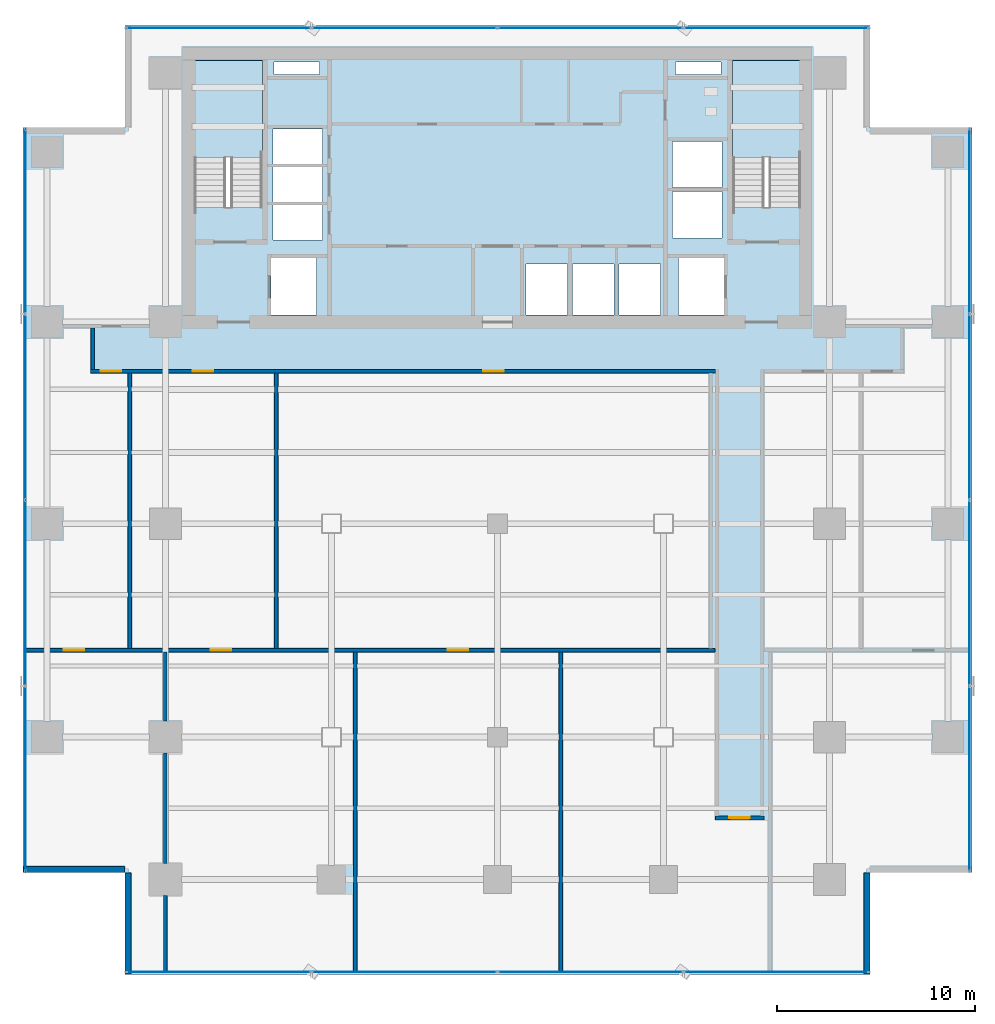
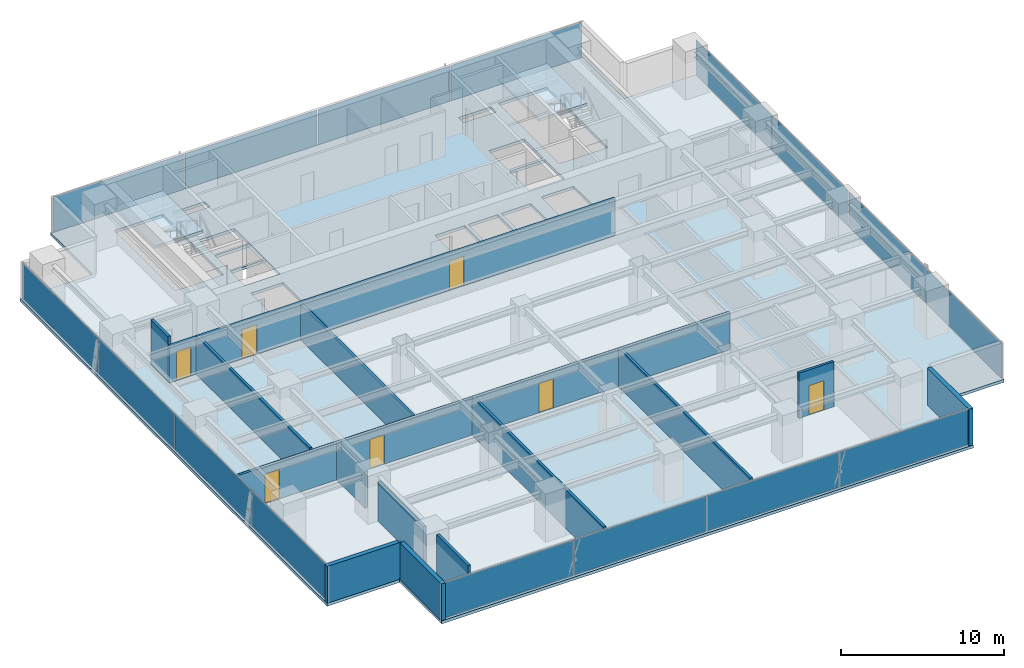
# One storey, part 20 of 28: 16 plates, 14 walls, 7 doors, 3 slabs, 7 openings, 6 elements without a shape of their own.
"""IFC4 building model written with IfcOpenShell, lengths in metres."""

from ifc_helpers import new_model, si_unit, direction, frame, frame_2d, origin, origin_2d, place, context, subcontext, project, spatial, polyline, rectangle, outline, extrude, source, transform, mapped, material, layer, layer_set, type_object, element, fill, aggregate, save


model = new_model("IFC4")

# Units and contexts
model_context = context("Model", 3, precision=1e-05, world=origin(), true_north=direction((0.0, 1.0)))
body_context = subcontext(model_context, "Body", "Model", "MODEL_VIEW")
ifc_project = project(units=[si_unit("LENGTHUNIT", "METRE"), si_unit("AREAUNIT", "SQUARE_METRE"), si_unit("VOLUMEUNIT", "CUBIC_METRE"), si_unit("PLANEANGLEUNIT", "RADIAN"), si_unit("MASSUNIT", "GRAM", prefix="KILO")], contexts=[model_context])

# Site, building, storey
site_placement = place(None, origin())
site = spatial("IfcSite", under=ifc_project, at=site_placement, CompositionType="ELEMENT")
building_placement = place(site_placement, origin())
building = spatial("IfcBuilding", under=site, at=building_placement, Name="Sumidabori Civic Tower", CompositionType="ELEMENT")
storey_placement = place(building_placement, frame((0.0, 0.0, 174.800048828125)))
storey = spatial("IfcBuildingStorey", under=building, at=storey_placement, Name="L45", CompositionType="ELEMENT", Elevation=174.800048828125)

# Stair, slab
ifc_material_1 = material(Name="Concrete C40/50", Category="concrete")
stair_type = type_object("IfcStairType", Name="ST-CORE-1600", PredefinedType="HALF_TURN_STAIR", material=ifc_material_1)
stair_1_placement = place(storey_placement, origin())
stair_1 = element("IfcStair", 1, at=stair_1_placement, inside=storey, type_object=stair_type, Name="L45 ST-1", PredefinedType="HALF_TURN_STAIR")
ifc_layer_1 = layer(ifc_material_1, 0.199951171875, Name="Concrete C40/50")
ifc_layer_set_1 = layer_set([ifc_layer_1], Name="Concrete C40/50")
slab_type_1 = type_object("IfcSlabType", Name="SL-LAND-200", PredefinedType="LANDING", material=ifc_layer_set_1)
slab_1_placement = place(storey_placement, frame((0.0, 0.0, 1.599853515625)))
slab_1 = element("IfcSlab", 2, at=slab_1_placement, type_object=slab_type_1, Name="ST-1 landing 1", PredefinedType="LANDING", context=body_context, shape_type="SweptSolid", body=[
    extrude(outline(polyline([(-11.89990234375, 18.52001953125), (-11.89990234375, 23.449951171875), (-15.340087890625, 23.449951171875), (-15.340087890625, 18.52001953125), (-11.89990234375, 18.52001953125)])), origin(), (0.0, 0.0, 1.0), 0.2001953125),
])
aggregate(stair_1, [slab_1])

stair_2_placement = place(storey_placement, origin())
stair_2 = element("IfcStair", 3, at=stair_2_placement, inside=storey, type_object=stair_type, Name="L45 ST-2", PredefinedType="HALF_TURN_STAIR")
slab_2_placement = place(storey_placement, frame((0.0, 0.0, 1.599853515625)))
slab_2 = element("IfcSlab", 4, at=slab_2_placement, type_object=slab_type_1, Name="ST-2 landing 1", PredefinedType="LANDING", context=body_context, shape_type="SweptSolid", body=[
    extrude(outline(polyline([(15.340087890625, 18.52001953125), (15.340087890625, 23.449951171875), (11.89990234375, 23.449951171875), (11.89990234375, 18.52001953125), (15.340087890625, 18.52001953125)])), origin(), (0.0, 0.0, 1.0), 0.2001953125),
])
aggregate(stair_2, [slab_2])

# Slab
ifc_layer_2 = layer(ifc_material_1, 0.219970703125, Name="Concrete C40/50")
ifc_layer_set_2 = layer_set([ifc_layer_2], Name="Concrete C40/50")
slab_type_2 = type_object("IfcSlabType", Name="SL-Z3-220", PredefinedType="FLOOR", material=ifc_layer_set_2)
slab_3_placement = place(storey_placement, frame((0.0, 0.0, -0.219970703125)))
element("IfcSlab", 5, at=slab_3_placement, inside=storey, type_object=slab_type_2, Name="Structural Slab L45", PredefinedType="FLOOR", context=body_context, shape_type="SweptSolid", body=[
    extrude(outline(polyline([(-18.85009765625, -22.800048828125), (18.85009765625, -22.800048828125), (18.85009765625, -17.64990234375), (24.0, -17.64990234375), (24.0, 20.050048828125), (18.85009765625, 20.050048828125), (18.85009765625, 25.199951171875), (-18.85009765625, 25.199951171875), (-18.85009765625, 20.050048828125), (-24.0, 20.050048828125), (-24.0, -17.64990234375), (-18.85009765625, -17.64990234375), (-18.85009765625, -22.800048828125)]), holes=[polyline([(-11.89990234375, 16.0), (-11.89990234375, 23.449951171875), (-15.340087890625, 23.449951171875), (-15.340087890625, 16.0), (-11.89990234375, 16.0)]), polyline([(15.340087890625, 16.0), (15.340087890625, 23.449951171875), (11.89990234375, 23.449951171875), (11.89990234375, 16.0), (15.340087890625, 16.0)]), polyline([(-11.449951171875, 10.550048828125), (-9.14990234375, 10.550048828125), (-9.14990234375, 13.449951171875), (-11.449951171875, 13.449951171875), (-11.449951171875, 10.550048828125)]), polyline([(9.14990234375, 10.550048828125), (11.449951171875, 10.550048828125), (11.449951171875, 13.449951171875), (9.14990234375, 13.449951171875), (9.14990234375, 10.550048828125)]), polyline([(1.449951171875, 10.550048828125), (3.550048828125, 10.550048828125), (3.550048828125, 13.14990234375), (1.449951171875, 13.14990234375), (1.449951171875, 10.550048828125)]), polyline([(3.800048828125, 10.550048828125), (5.89990234375, 10.550048828125), (5.89990234375, 13.14990234375), (3.800048828125, 13.14990234375), (3.800048828125, 10.550048828125)]), polyline([(6.14990234375, 10.550048828125), (8.25, 10.550048828125), (8.25, 13.14990234375), (6.14990234375, 13.14990234375), (6.14990234375, 10.550048828125)]), polyline([(-11.35009765625, 14.35009765625), (-8.85009765625, 14.35009765625), (-8.85009765625, 16.1201171875), (-11.35009765625, 16.1201171875), (-11.35009765625, 14.35009765625)]), polyline([(-11.35009765625, 16.27001953125), (-8.85009765625, 16.27001953125), (-8.85009765625, 18.0400390625), (-11.35009765625, 18.0400390625), (-11.35009765625, 16.27001953125)]), polyline([(-11.35009765625, 18.18994140625), (-8.85009765625, 18.18994140625), (-8.85009765625, 19.9599609375), (-11.35009765625, 19.9599609375), (-11.35009765625, 18.18994140625)]), polyline([(8.85009765625, 14.449951171875), (11.35009765625, 14.449951171875), (11.35009765625, 16.800048828125), (8.85009765625, 16.800048828125), (8.85009765625, 14.449951171875)]), polyline([(8.85009765625, 17.0), (11.35009765625, 17.0), (11.35009765625, 19.35009765625), (8.85009765625, 19.35009765625), (8.85009765625, 17.0)]), polyline([(-11.300048828125, 22.719970703125), (-9.0, 22.719970703125), (-9.0, 23.35009765625), (-11.300048828125, 23.35009765625), (-11.300048828125, 22.719970703125)]), polyline([(9.0, 22.719970703125), (11.300048828125, 22.719970703125), (11.300048828125, 23.35009765625), (9.0, 23.35009765625), (9.0, 22.719970703125)])]), origin(), (0.0, 0.0, 1.0), 0.219970703125),
])

# Curtain wall, plates
ifc_material_2 = material(Name="Anodised Bronze Aluminium AW-6063-T6", Category="aluminium")
ifc_layer_3 = layer(ifc_material_2, 0.179931640625, Name="Anodised Bronze Aluminium AW-6063-T6")
ifc_layer_set_3 = layer_set([ifc_layer_3], Name="Anodised Bronze Aluminium AW-6063-T6")
curtain_wall_type = type_object("IfcCurtainWallType", Name="CW-SYS-3", PredefinedType="NOTDEFINED", material=ifc_layer_set_3)
curtain_wall_1_placement = place(storey_placement, origin())
curtain_wall_1 = element("IfcCurtainWall", 6, at=curtain_wall_1_placement, inside=storey, type_object=curtain_wall_type, Name="Curtain Wall CW:L45:R01", PredefinedType="NOTDEFINED")
ifc_material_3 = material(Name="Low-E Solar-Control Vision Glazing", Category="glass")
ifc_layer_4 = layer(ifc_material_3, 0.028076171875, Name="Low-E Solar-Control Vision Glazing")
ifc_layer_set_4 = layer_set([ifc_layer_4], Name="Low-E Solar-Control Vision Glazing")
plate_type = type_object("IfcPlateType", Name="CW-PNL-28", PredefinedType="CURTAIN_PANEL", material=ifc_layer_set_4)
shared_shape_1 = source(origin(), body_context, "Body", "SweptSolid", [
    extrude(rectangle(XDim=9.3125, YDim=0.028076171875, at=origin_2d()), origin(), (0.0, 0.0, 1.0), 2.639892578125),
])
plate_1_placement = place(storey_placement, frame((-14.0986328125, -22.679931640625, 0.06005859375), z_axis=(0.0, 0.0, 1.0), x_axis=(1.0, 0.0, 0.0)))
plate_1 = element("IfcPlate", 7, at=plate_1_placement, type_object=plate_type, Name="CW-3 panel 1.1", PredefinedType="CURTAIN_PANEL", context=body_context, shape_type="MappedRepresentation", body=[
    mapped(shared_shape_1, transform((0.0, 0.0, 0.0), x_axis=(1.0, 0.0, 0.0), y_axis=(0.0, 1.0, 0.0), z_axis=(0.0, 0.0, 1.0), scale=1.0)),
])
plate_2_placement = place(storey_placement, frame((14.0986328125, -22.679931640625, 0.06005859375), z_axis=(0.0, 0.0, 1.0), x_axis=(1.0, 0.0, 0.0)))
plate_2 = element("IfcPlate", 8, at=plate_2_placement, type_object=plate_type, Name="CW-3 panel 4.1", PredefinedType="CURTAIN_PANEL", context=body_context, shape_type="MappedRepresentation", body=[
    mapped(shared_shape_1, transform((0.0, 0.0, 0.0), x_axis=(1.0, 0.0, 0.0), y_axis=(0.0, 1.0, 0.0), z_axis=(0.0, 0.0, 1.0), scale=1.0)),
])

curtain_wall_2_placement = place(storey_placement, origin())
curtain_wall_2 = element("IfcCurtainWall", 9, at=curtain_wall_2_placement, inside=storey, type_object=curtain_wall_type, Name="Curtain Wall CW:L45:R04", PredefinedType="NOTDEFINED")
plate_3_placement = place(storey_placement, frame((23.8798828125, -12.898681640625, 0.06005859375), z_axis=(0.0, 0.0, 1.0), x_axis=(0.0, 1.0, 0.0)))
plate_3 = element("IfcPlate", 10, at=plate_3_placement, type_object=plate_type, Name="CW-3 panel 1.1", PredefinedType="CURTAIN_PANEL", context=body_context, shape_type="MappedRepresentation", body=[
    mapped(shared_shape_1, transform((0.0, 0.0, 0.0), x_axis=(1.0, 0.0, 0.0), y_axis=(0.0, 1.0, 0.0), z_axis=(0.0, 0.0, 1.0), scale=1.0)),
])
plate_4_placement = place(storey_placement, frame((23.8798828125, 15.298828125, 0.06005859375), z_axis=(0.0, 0.0, 1.0), x_axis=(0.0, 1.0, 0.0)))
plate_4 = element("IfcPlate", 11, at=plate_4_placement, type_object=plate_type, Name="CW-3 panel 4.1", PredefinedType="CURTAIN_PANEL", context=body_context, shape_type="MappedRepresentation", body=[
    mapped(shared_shape_1, transform((0.0, 0.0, 0.0), x_axis=(1.0, 0.0, 0.0), y_axis=(0.0, 1.0, 0.0), z_axis=(0.0, 0.0, 1.0), scale=1.0)),
])

curtain_wall_3_placement = place(storey_placement, origin())
curtain_wall_3 = element("IfcCurtainWall", 12, at=curtain_wall_3_placement, inside=storey, type_object=curtain_wall_type, Name="Curtain Wall CW:L45:R07", PredefinedType="NOTDEFINED")
plate_5_placement = place(storey_placement, frame((14.0986328125, 25.080078125, 0.06005859375), z_axis=(0.0, 0.0, 1.0), x_axis=(-1.0, 0.0, 0.0)))
plate_5 = element("IfcPlate", 13, at=plate_5_placement, type_object=plate_type, Name="CW-3 panel 1.1", PredefinedType="CURTAIN_PANEL", context=body_context, shape_type="MappedRepresentation", body=[
    mapped(shared_shape_1, transform((0.0, 0.0, 0.0), x_axis=(1.0, 0.0, 0.0), y_axis=(0.0, 1.0, 0.0), z_axis=(0.0, 0.0, 1.0), scale=1.0)),
])
plate_6_placement = place(storey_placement, frame((-14.0986328125, 25.080078125, 0.06005859375), z_axis=(0.0, 0.0, 1.0), x_axis=(-1.0, 0.0, 0.0)))
plate_6 = element("IfcPlate", 14, at=plate_6_placement, type_object=plate_type, Name="CW-3 panel 4.1", PredefinedType="CURTAIN_PANEL", context=body_context, shape_type="MappedRepresentation", body=[
    mapped(shared_shape_1, transform((0.0, 0.0, 0.0), x_axis=(1.0, 0.0, 0.0), y_axis=(0.0, 1.0, 0.0), z_axis=(0.0, 0.0, 1.0), scale=1.0)),
])

curtain_wall_4_placement = place(storey_placement, origin())
curtain_wall_4 = element("IfcCurtainWall", 15, at=curtain_wall_4_placement, inside=storey, type_object=curtain_wall_type, Name="Curtain Wall CW:L45:R10", PredefinedType="NOTDEFINED")
plate_7_placement = place(storey_placement, frame((-23.8798828125, 15.298828125, 0.06005859375), z_axis=(0.0, 0.0, 1.0), x_axis=(0.0, -1.0, 0.0)))
plate_7 = element("IfcPlate", 16, at=plate_7_placement, type_object=plate_type, Name="CW-3 panel 1.1", PredefinedType="CURTAIN_PANEL", context=body_context, shape_type="MappedRepresentation", body=[
    mapped(shared_shape_1, transform((0.0, 0.0, 0.0), x_axis=(1.0, 0.0, 0.0), y_axis=(0.0, 1.0, 0.0), z_axis=(0.0, 0.0, 1.0), scale=1.0)),
])
plate_8_placement = place(storey_placement, frame((-23.8798828125, -12.898681640625, 0.06005859375), z_axis=(0.0, 0.0, 1.0), x_axis=(0.0, -1.0, 0.0)))
plate_8 = element("IfcPlate", 17, at=plate_8_placement, type_object=plate_type, Name="CW-3 panel 4.1", PredefinedType="CURTAIN_PANEL", context=body_context, shape_type="MappedRepresentation", body=[
    mapped(shared_shape_1, transform((0.0, 0.0, 0.0), x_axis=(1.0, 0.0, 0.0), y_axis=(0.0, 1.0, 0.0), z_axis=(0.0, 0.0, 1.0), scale=1.0)),
])

# Plate
shared_shape_2 = source(origin(), body_context, "Body", "SweptSolid", [
    extrude(rectangle(XDim=9.344970703125, YDim=0.028076171875, at=origin_2d()), origin(), (0.0, 0.0, 1.0), 2.639892578125),
])
plate_9_placement = place(storey_placement, frame((-4.705078125, -22.679931640625, 0.06005859375), z_axis=(0.0, 0.0, 1.0), x_axis=(1.0, 0.0, 0.0)))
plate_9 = element("IfcPlate", 18, at=plate_9_placement, type_object=plate_type, Name="CW-3 panel 2.1", PredefinedType="CURTAIN_PANEL", context=body_context, shape_type="MappedRepresentation", body=[
    mapped(shared_shape_2, transform((0.0, 0.0, 0.0), x_axis=(1.0, 0.0, 0.0), y_axis=(0.0, 1.0, 0.0), z_axis=(0.0, 0.0, 1.0), scale=1.0)),
])

plate_10_placement = place(storey_placement, frame((4.705078125, -22.679931640625, 0.06005859375), z_axis=(0.0, 0.0, 1.0), x_axis=(1.0, 0.0, 0.0)))
plate_10 = element("IfcPlate", 19, at=plate_10_placement, type_object=plate_type, Name="CW-3 panel 3.1", PredefinedType="CURTAIN_PANEL", context=body_context, shape_type="MappedRepresentation", body=[
    mapped(shared_shape_2, transform((0.0, 0.0, 0.0), x_axis=(1.0, 0.0, 0.0), y_axis=(0.0, 1.0, 0.0), z_axis=(0.0, 0.0, 1.0), scale=1.0)),
])

aggregate(curtain_wall_1, [plate_1, plate_9, plate_10, plate_2])

plate_11_placement = place(storey_placement, frame((23.8798828125, -3.5048828125, 0.06005859375), z_axis=(0.0, 0.0, 1.0), x_axis=(0.0, 1.0, 0.0)))
plate_11 = element("IfcPlate", 20, at=plate_11_placement, type_object=plate_type, Name="CW-3 panel 2.1", PredefinedType="CURTAIN_PANEL", context=body_context, shape_type="MappedRepresentation", body=[
    mapped(shared_shape_2, transform((0.0, 0.0, 0.0), x_axis=(1.0, 0.0, 0.0), y_axis=(0.0, 1.0, 0.0), z_axis=(0.0, 0.0, 1.0), scale=1.0)),
])

plate_12_placement = place(storey_placement, frame((23.8798828125, 5.905029296875, 0.06005859375), z_axis=(0.0, 0.0, 1.0), x_axis=(0.0, 1.0, 0.0)))
plate_12 = element("IfcPlate", 21, at=plate_12_placement, type_object=plate_type, Name="CW-3 panel 3.1", PredefinedType="CURTAIN_PANEL", context=body_context, shape_type="MappedRepresentation", body=[
    mapped(shared_shape_2, transform((0.0, 0.0, 0.0), x_axis=(1.0, 0.0, 0.0), y_axis=(0.0, 1.0, 0.0), z_axis=(0.0, 0.0, 1.0), scale=1.0)),
])

aggregate(curtain_wall_2, [plate_3, plate_11, plate_12, plate_4])

plate_13_placement = place(storey_placement, frame((4.705078125, 25.080078125, 0.06005859375), z_axis=(0.0, 0.0, 1.0), x_axis=(-1.0, 0.0, 0.0)))
plate_13 = element("IfcPlate", 22, at=plate_13_placement, type_object=plate_type, Name="CW-3 panel 2.1", PredefinedType="CURTAIN_PANEL", context=body_context, shape_type="MappedRepresentation", body=[
    mapped(shared_shape_2, transform((0.0, 0.0, 0.0), x_axis=(1.0, 0.0, 0.0), y_axis=(0.0, 1.0, 0.0), z_axis=(0.0, 0.0, 1.0), scale=1.0)),
])

plate_14_placement = place(storey_placement, frame((-4.705078125, 25.080078125, 0.06005859375), z_axis=(0.0, 0.0, 1.0), x_axis=(-1.0, 0.0, 0.0)))
plate_14 = element("IfcPlate", 23, at=plate_14_placement, type_object=plate_type, Name="CW-3 panel 3.1", PredefinedType="CURTAIN_PANEL", context=body_context, shape_type="MappedRepresentation", body=[
    mapped(shared_shape_2, transform((0.0, 0.0, 0.0), x_axis=(1.0, 0.0, 0.0), y_axis=(0.0, 1.0, 0.0), z_axis=(0.0, 0.0, 1.0), scale=1.0)),
])

aggregate(curtain_wall_3, [plate_5, plate_13, plate_14, plate_6])

plate_15_placement = place(storey_placement, frame((-23.8798828125, 5.905029296875, 0.06005859375), z_axis=(0.0, 0.0, 1.0), x_axis=(0.0, -1.0, 0.0)))
plate_15 = element("IfcPlate", 24, at=plate_15_placement, type_object=plate_type, Name="CW-3 panel 2.1", PredefinedType="CURTAIN_PANEL", context=body_context, shape_type="MappedRepresentation", body=[
    mapped(shared_shape_2, transform((0.0, 0.0, 0.0), x_axis=(1.0, 0.0, 0.0), y_axis=(0.0, 1.0, 0.0), z_axis=(0.0, 0.0, 1.0), scale=1.0)),
])

plate_16_placement = place(storey_placement, frame((-23.8798828125, -3.5048828125, 0.06005859375), z_axis=(0.0, 0.0, 1.0), x_axis=(0.0, -1.0, 0.0)))
plate_16 = element("IfcPlate", 25, at=plate_16_placement, type_object=plate_type, Name="CW-3 panel 3.1", PredefinedType="CURTAIN_PANEL", context=body_context, shape_type="MappedRepresentation", body=[
    mapped(shared_shape_2, transform((0.0, 0.0, 0.0), x_axis=(1.0, 0.0, 0.0), y_axis=(0.0, 1.0, 0.0), z_axis=(0.0, 0.0, 1.0), scale=1.0)),
])

aggregate(curtain_wall_4, [plate_7, plate_15, plate_16, plate_8])

# Walls
ifc_material_4 = material(Name="Precast concrete C40/50", Category="concrete")
ifc_layer_5 = layer(ifc_material_4, 0.300048828125, Name="Precast concrete C40/50")
ifc_layer_set_5 = layer_set([ifc_layer_5], Name="Precast concrete C40/50")
wall_type_1 = type_object("IfcWallType", Name="WL-EXT-POD300", PredefinedType="STANDARD", material=ifc_layer_set_5)
shared_shape_3 = source(origin(), body_context, "Body", "SweptSolid", [
    extrude(rectangle(XDim=5.110107421875, YDim=0.300048828125, at=frame_2d((2.55517578125, 0.0))), origin(), (0.0, 0.0, 1.0), 2.760009765625),
])
for number, where, z_axis, x_axis, name in (
    (26, (18.699951171875, -22.780029296875, 0.0), (0.0, 0.0, 1.0), (0.0, 1.0, 0.0), "Notched Corner Spandrel Band L45-02"),
    (27, (-18.699951171875, -17.669921875, 0.0), (0.0, 0.0, 1.0), (0.0, -1.0, 0.0), "Notched Corner Spandrel Band L45-12"),
):
    element("IfcWall", number, at=place(storey_placement, frame(where, z_axis=z_axis, x_axis=x_axis)), inside=storey, type_object=wall_type_1, Name=name, PredefinedType="STANDARD", context=body_context, shape_type="MappedRepresentation", body=[
        mapped(shared_shape_3, transform((0.0, 0.0, 0.0), x_axis=(1.0, 0.0, 0.0), y_axis=(0.0, 1.0, 0.0), z_axis=(0.0, 0.0, 1.0), scale=1.0)),
    ])
shared_shape_4 = source(origin(), body_context, "Body", "SweptSolid", [
    extrude(rectangle(XDim=5.10986328125, YDim=0.300048828125, at=frame_2d((2.554931640625, 0.0))), origin(), (0.0, 0.0, 1.0), 2.760009765625),
])
wall_1_placement = place(storey_placement, frame((-23.97998046875, -17.5, 0.0), z_axis=(0.0, 0.0, 1.0), x_axis=(1.0, 0.0, 0.0)))
element("IfcWall", 28, at=wall_1_placement, inside=storey, type_object=wall_type_1, Name="Notched Corner Spandrel Band L45-11", PredefinedType="STANDARD", context=body_context, shape_type="MappedRepresentation", body=[
    mapped(shared_shape_4, transform((0.0, 0.0, 0.0), x_axis=(1.0, 0.0, 0.0), y_axis=(0.0, 1.0, 0.0), z_axis=(0.0, 0.0, 1.0), scale=1.0)),
])

# Wall, openings, doors
ifc_material_5 = material(Name="Gypsum Plasterboard Acoustic Partition")
ifc_layer_6 = layer(ifc_material_5, 0.179931640625, Name="Gypsum Plasterboard Acoustic Partition")
ifc_layer_set_6 = layer_set([ifc_layer_6], Name="Gypsum Plasterboard Acoustic Partition")
wall_type_2 = type_object("IfcWallType", Name="WL-PART-180", PredefinedType="PARTITIONING", material=ifc_layer_set_6)
shared_shape_5 = source(origin(), body_context, "Body", "SweptSolid", [
    extrude(rectangle(XDim=31.60009765625, YDim=0.179931640625, at=frame_2d((15.800048828125, 0.0))), origin(), (0.0, 0.0, 1.0), 2.764892578125),
])
wall_2_placement = place(storey_placement, frame((-20.580078125, 7.7099609375, 0.0), z_axis=(0.0, 0.0, 1.0), x_axis=(1.0, 0.0, 0.0)))
wall_2 = element("IfcWall", 29, at=wall_2_placement, inside=storey, type_object=wall_type_2, Name="Interior Partition WL:L45:CORR-SW", PredefinedType="PARTITIONING", context=body_context, shape_type="MappedRepresentation", body=[
    mapped(shared_shape_5, transform((0.0, 0.0, 0.0), x_axis=(1.0, 0.0, 0.0), y_axis=(0.0, 1.0, 0.0), z_axis=(0.0, 0.0, 1.0), scale=1.0)),
])
opening_1_placement = place(wall_2_placement, frame((0.4951171875, 0.0, 0.0)))
opening_1 = element("IfcOpeningElement", 30, at=opening_1_placement, cuts=wall_2, Name="Opening DR-4", PredefinedType="OPENING", context=body_context, shape_type="SweptSolid", body=[
    extrude(rectangle(XDim=1.0400390625, YDim=2.199951171875, at=frame_2d((0.52001953125, 1.10009765625))), frame((0.0, 0.10205078125, 0.0), z_axis=(0.0, -1.0, 0.0), x_axis=(1.0, 0.0, 0.0)), (0.0, 0.0, 1.0), 0.203857421875),
])
opening_2_placement = place(wall_2_placement, frame((5.159912109375, 0.0, 0.0)))
opening_2 = element("IfcOpeningElement", 31, at=opening_2_placement, cuts=wall_2, Name="Opening DR-4", PredefinedType="OPENING", context=body_context, shape_type="SweptSolid", body=[
    extrude(rectangle(XDim=1.0400390625, YDim=2.199951171875, at=frame_2d((0.52001953125, 1.10009765625))), frame((0.0, 0.10205078125, 0.0), z_axis=(0.0, -1.0, 0.0), x_axis=(1.0, 0.0, 0.0)), (0.0, 0.0, 1.0), 0.203857421875),
])
opening_3_placement = place(wall_2_placement, frame((19.860107421875, 0.0, 0.0)))
opening_3 = element("IfcOpeningElement", 32, at=opening_3_placement, cuts=wall_2, Name="Opening DR-4", PredefinedType="OPENING", context=body_context, shape_type="SweptSolid", body=[
    extrude(rectangle(XDim=1.0400390625, YDim=2.199951171875, at=frame_2d((0.52001953125, 1.10009765625))), frame((0.0, 0.10205078125, 0.0), z_axis=(0.0, -1.0, 0.0), x_axis=(1.0, 0.0, 0.0)), (0.0, 0.0, 1.0), 0.203857421875),
])
ifc_material_6 = material(Name="Japanese Hinoki Timber", Category="wood")
door_type = type_object("IfcDoorType", Name="DR-INT-1040", OperationType="NOTDEFINED", PredefinedType="DOOR", material=ifc_material_6)
shared_shape_6 = source(origin(), body_context, "Body", "SweptSolid", [
    extrude(rectangle(XDim=1.0400390625, YDim=2.199951171875, at=frame_2d((0.52001953125, 1.10009765625))), frame((0.0, 0.02490234375, 0.0), z_axis=(0.0, -1.0, 0.0), x_axis=(1.0, 0.0, 0.0)), (0.0, 0.0, 1.0), 0.050048828125),
])
door_1_placement = place(opening_1_placement, origin())
door_1 = element("IfcDoor", 33, at=door_1_placement, inside=storey, type_object=door_type, Name="Door DR:L45:D02", OperationType="SINGLE_SWING_RIGHT", OverallHeight=2.199951171875, OverallWidth=1.0400390625, PredefinedType="DOOR", context=body_context, shape_type="MappedRepresentation", body=[
    mapped(shared_shape_6, transform((0.0, 0.0, 0.0), x_axis=(1.0, 0.0, 0.0), y_axis=(0.0, 1.0, 0.0), z_axis=(0.0, 0.0, 1.0), scale=1.0)),
])
fill(opening_1, door_1)
door_2_placement = place(opening_2_placement, origin())
door_2 = element("IfcDoor", 34, at=door_2_placement, inside=storey, type_object=door_type, Name="Door DR:L45:D04", OperationType="SINGLE_SWING_RIGHT", OverallHeight=2.199951171875, OverallWidth=1.0400390625, PredefinedType="DOOR", context=body_context, shape_type="MappedRepresentation", body=[
    mapped(shared_shape_6, transform((0.0, 0.0, 0.0), x_axis=(1.0, 0.0, 0.0), y_axis=(0.0, 1.0, 0.0), z_axis=(0.0, 0.0, 1.0), scale=1.0)),
])
fill(opening_2, door_2)
door_3_placement = place(opening_3_placement, origin())
door_3 = element("IfcDoor", 35, at=door_3_placement, inside=storey, type_object=door_type, Name="Door DR:L45:D05", OperationType="SINGLE_SWING_LEFT", OverallHeight=2.199951171875, OverallWidth=1.0400390625, PredefinedType="DOOR", context=body_context, shape_type="MappedRepresentation", body=[
    mapped(shared_shape_6, transform((0.0, 0.0, 0.0), x_axis=(1.0, 0.0, 0.0), y_axis=(0.0, 1.0, 0.0), z_axis=(0.0, 0.0, 1.0), scale=1.0)),
])
fill(opening_3, door_3)

# Wall, opening, door
shared_shape_7 = source(origin(), body_context, "Body", "SweptSolid", [
    extrude(rectangle(XDim=2.4599609375, YDim=0.179931640625, at=frame_2d((1.22998046875, 0.0))), origin(), (0.0, 0.0, 1.0), 3.3798828125),
])
wall_3_placement = place(storey_placement, frame((11.02001953125, -14.889892578125, 0.0), z_axis=(0.0, 0.0, 1.0), x_axis=(1.0, 0.0, 0.0)))
wall_3 = element("IfcWall", 36, at=wall_3_placement, inside=storey, type_object=wall_type_2, Name="Interior Partition WL:L45:CORR-CAP-E", PredefinedType="PARTITIONING", context=body_context, shape_type="MappedRepresentation", body=[
    mapped(shared_shape_7, transform((0.0, 0.0, 0.0), x_axis=(1.0, 0.0, 0.0), y_axis=(0.0, 1.0, 0.0), z_axis=(0.0, 0.0, 1.0), scale=1.0)),
])
opening_4_placement = place(wall_3_placement, frame((0.7099609375, 0.0, 0.0)))
opening_4 = element("IfcOpeningElement", 37, at=opening_4_placement, cuts=wall_3, Name="Opening DR-4", PredefinedType="OPENING", context=body_context, shape_type="SweptSolid", body=[
    extrude(rectangle(XDim=1.0400390625, YDim=2.199951171875, at=frame_2d((0.52001953125, 1.10009765625))), frame((0.0, 0.10205078125, 0.0), z_axis=(0.0, -1.0, 0.0), x_axis=(1.0, 0.0, 0.0)), (0.0, 0.0, 1.0), 0.203857421875),
])
door_4_placement = place(opening_4_placement, origin())
door_4 = element("IfcDoor", 38, at=door_4_placement, inside=storey, type_object=door_type, Name="Door DR:L45:D07", OperationType="SINGLE_SWING_LEFT", OverallHeight=2.199951171875, OverallWidth=1.0400390625, PredefinedType="DOOR", context=body_context, shape_type="MappedRepresentation", body=[
    mapped(shared_shape_6, transform((0.0, 0.0, 0.0), x_axis=(1.0, 0.0, 0.0), y_axis=(0.0, 1.0, 0.0), z_axis=(0.0, 0.0, 1.0), scale=1.0)),
])
fill(opening_4, door_4)

# Wall
shared_shape_8 = source(origin(), body_context, "Body", "SweptSolid", [
    extrude(rectangle(XDim=2.10009765625, YDim=0.179931640625, at=frame_2d((1.050048828125, 0.0))), origin(), (0.0, 0.0, 1.0), 3.3798828125),
])
wall_4_placement = place(storey_placement, frame((-20.489990234375, 7.804931640625, 0.0), z_axis=(0.0, 0.0, 1.0), x_axis=(0.0, 1.0, 0.0)))
element("IfcWall", 39, at=wall_4_placement, inside=storey, type_object=wall_type_2, Name="Interior Partition WL:L45:CORR-VNW", PredefinedType="PARTITIONING", context=body_context, shape_type="MappedRepresentation", body=[
    mapped(shared_shape_8, transform((0.0, 0.0, 0.0), x_axis=(1.0, 0.0, 0.0), y_axis=(0.0, 1.0, 0.0), z_axis=(0.0, 0.0, 1.0), scale=1.0)),
])

# Wall, openings, doors
shared_shape_9 = source(origin(), body_context, "Body", "SweptSolid", [
    extrude(rectangle(XDim=34.864990234375, YDim=0.179931640625, at=frame_2d((17.4326171875, 0.0))), origin(), (0.0, 0.0, 1.0), 2.764892578125),
])
wall_5_placement = place(storey_placement, frame((-23.85009765625, -6.39990234375, 0.0), z_axis=(0.0, 0.0, 1.0), x_axis=(1.0, 0.0, 0.0)))
wall_5 = element("IfcWall", 40, at=wall_5_placement, inside=storey, type_object=wall_type_2, Name="Interior Partition WL:L45:BAND-Y-1", PredefinedType="PARTITIONING", context=body_context, shape_type="MappedRepresentation", body=[
    mapped(shared_shape_9, transform((0.0, 0.0, 0.0), x_axis=(1.0, 0.0, 0.0), y_axis=(0.0, 1.0, 0.0), z_axis=(0.0, 0.0, 1.0), scale=1.0)),
])
opening_5_placement = place(wall_5_placement, frame((1.89990234375, 0.0, 0.0)))
opening_5 = element("IfcOpeningElement", 41, at=opening_5_placement, cuts=wall_5, Name="Opening DR-4", PredefinedType="OPENING", context=body_context, shape_type="SweptSolid", body=[
    extrude(rectangle(XDim=1.0400390625, YDim=2.199951171875, at=frame_2d((0.52001953125, 1.10009765625))), frame((0.0, 0.10205078125, 0.0), z_axis=(0.0, -1.0, 0.0), x_axis=(1.0, 0.0, 0.0)), (0.0, 0.0, 1.0), 0.203857421875),
])
opening_6_placement = place(wall_5_placement, frame((9.330078125, 0.0, 0.0)))
opening_6 = element("IfcOpeningElement", 42, at=opening_6_placement, cuts=wall_5, Name="Opening DR-4", PredefinedType="OPENING", context=body_context, shape_type="SweptSolid", body=[
    extrude(rectangle(XDim=1.0400390625, YDim=2.199951171875, at=frame_2d((0.52001953125, 1.10009765625))), frame((0.0, 0.10205078125, 0.0), z_axis=(0.0, -1.0, 0.0), x_axis=(1.0, 0.0, 0.0)), (0.0, 0.0, 1.0), 0.203857421875),
])
opening_7_placement = place(wall_5_placement, frame((21.330078125, 0.0, 0.0)))
opening_7 = element("IfcOpeningElement", 43, at=opening_7_placement, cuts=wall_5, Name="Opening DR-4", PredefinedType="OPENING", context=body_context, shape_type="SweptSolid", body=[
    extrude(rectangle(XDim=1.0400390625, YDim=2.199951171875, at=frame_2d((0.52001953125, 1.10009765625))), frame((0.0, 0.10205078125, 0.0), z_axis=(0.0, -1.0, 0.0), x_axis=(1.0, 0.0, 0.0)), (0.0, 0.0, 1.0), 0.203857421875),
])
door_5_placement = place(opening_5_placement, origin())
door_5 = element("IfcDoor", 44, at=door_5_placement, inside=storey, type_object=door_type, Name="Door DR:L45:D08", OperationType="SINGLE_SWING_RIGHT", OverallHeight=2.199951171875, OverallWidth=1.0400390625, PredefinedType="DOOR", context=body_context, shape_type="MappedRepresentation", body=[
    mapped(shared_shape_6, transform((0.0, 0.0, 0.0), x_axis=(1.0, 0.0, 0.0), y_axis=(0.0, 1.0, 0.0), z_axis=(0.0, 0.0, 1.0), scale=1.0)),
])
fill(opening_5, door_5)
door_6_placement = place(opening_6_placement, origin())
door_6 = element("IfcDoor", 45, at=door_6_placement, inside=storey, type_object=door_type, Name="Door DR:L45:D10", OperationType="SINGLE_SWING_RIGHT", OverallHeight=2.199951171875, OverallWidth=1.0400390625, PredefinedType="DOOR", context=body_context, shape_type="MappedRepresentation", body=[
    mapped(shared_shape_6, transform((0.0, 0.0, 0.0), x_axis=(1.0, 0.0, 0.0), y_axis=(0.0, 1.0, 0.0), z_axis=(0.0, 0.0, 1.0), scale=1.0)),
])
fill(opening_6, door_6)
door_7_placement = place(opening_7_placement, origin())
door_7 = element("IfcDoor", 46, at=door_7_placement, inside=storey, type_object=door_type, Name="Door DR:L45:D11", OperationType="SINGLE_SWING_LEFT", OverallHeight=2.199951171875, OverallWidth=1.0400390625, PredefinedType="DOOR", context=body_context, shape_type="MappedRepresentation", body=[
    mapped(shared_shape_6, transform((0.0, 0.0, 0.0), x_axis=(1.0, 0.0, 0.0), y_axis=(0.0, 1.0, 0.0), z_axis=(0.0, 0.0, 1.0), scale=1.0)),
])
fill(opening_7, door_7)

# Walls
shared_shape_10 = source(origin(), body_context, "Body", "SweptSolid", [
    extrude(rectangle(XDim=3.83984375, YDim=0.179931640625, at=frame_2d((1.919921875, 0.0))), origin(), (0.0, 0.0, 1.0), 3.3798828125),
])
wall_6_placement = place(storey_placement, frame((-16.800048828125, -22.64990234375, 0.0), z_axis=(0.0, 0.0, 1.0), x_axis=(0.0, 1.0, 0.0)))
element("IfcWall", 47, at=wall_6_placement, inside=storey, type_object=wall_type_2, Name="Interior Partition WL:L45:VX-S1-1", PredefinedType="PARTITIONING", context=body_context, shape_type="MappedRepresentation", body=[
    mapped(shared_shape_10, transform((0.0, 0.0, 0.0), x_axis=(1.0, 0.0, 0.0), y_axis=(0.0, 1.0, 0.0), z_axis=(0.0, 0.0, 1.0), scale=1.0)),
])
shared_shape_11 = source(origin(), body_context, "Body", "SweptSolid", [
    extrude(rectangle(XDim=5.579833984375, YDim=0.179931640625, at=frame_2d((2.7900390625, 0.0))), origin(), (0.0, 0.0, 1.0), 2.96484375),
])
wall_7_placement = place(storey_placement, frame((-16.800048828125, -17.18994140625, 0.0), z_axis=(0.0, 0.0, 1.0), x_axis=(0.0, 1.0, 0.0)))
element("IfcWall", 48, at=wall_7_placement, inside=storey, type_object=wall_type_2, Name="Interior Partition WL:L45:VX-S1-2", PredefinedType="PARTITIONING", context=body_context, shape_type="MappedRepresentation", body=[
    mapped(shared_shape_11, transform((0.0, 0.0, 0.0), x_axis=(1.0, 0.0, 0.0), y_axis=(0.0, 1.0, 0.0), z_axis=(0.0, 0.0, 1.0), scale=1.0)),
])
shared_shape_12 = source(origin(), body_context, "Body", "SweptSolid", [
    extrude(rectangle(XDim=3.494873046875, YDim=0.179931640625, at=frame_2d((1.74755859375, 0.0))), origin(), (0.0, 0.0, 1.0), 2.764892578125),
])
wall_8_placement = place(storey_placement, frame((-16.800048828125, -9.989990234375, 0.0), z_axis=(0.0, 0.0, 1.0), x_axis=(0.0, 1.0, 0.0)))
element("IfcWall", 49, at=wall_8_placement, inside=storey, type_object=wall_type_2, Name="Interior Partition WL:L45:VX-S1-3", PredefinedType="PARTITIONING", context=body_context, shape_type="MappedRepresentation", body=[
    mapped(shared_shape_12, transform((0.0, 0.0, 0.0), x_axis=(1.0, 0.0, 0.0), y_axis=(0.0, 1.0, 0.0), z_axis=(0.0, 0.0, 1.0), scale=1.0)),
])
shared_shape_13 = source(origin(), body_context, "Body", "SweptSolid", [
    extrude(rectangle(XDim=13.919921875, YDim=0.179931640625, at=frame_2d((6.9599609375, 0.0))), origin(), (0.0, 0.0, 1.0), 2.9150390625),
])
wall_9_placement = place(storey_placement, frame((-18.60009765625, -6.304931640625, 0.0), z_axis=(0.0, 0.0, 1.0), x_axis=(0.0, 1.0, 0.0)))
element("IfcWall", 50, at=wall_9_placement, inside=storey, type_object=wall_type_2, Name="Interior Partition WL:L45:VX-N1", PredefinedType="PARTITIONING", context=body_context, shape_type="MappedRepresentation", body=[
    mapped(shared_shape_13, transform((0.0, 0.0, 0.0), x_axis=(1.0, 0.0, 0.0), y_axis=(0.0, 1.0, 0.0), z_axis=(0.0, 0.0, 1.0), scale=1.0)),
])
shared_shape_14 = source(origin(), body_context, "Body", "SweptSolid", [
    extrude(rectangle(XDim=13.919921875, YDim=0.179931640625, at=frame_2d((6.9599609375, 0.0))), origin(), (0.0, 0.0, 1.0), 2.6650390625),
])
wall_10_placement = place(storey_placement, frame((-11.199951171875, -6.304931640625, 0.0), z_axis=(0.0, 0.0, 1.0), x_axis=(0.0, 1.0, 0.0)))
element("IfcWall", 51, at=wall_10_placement, inside=storey, type_object=wall_type_2, Name="Interior Partition WL:L45:VX-N2", PredefinedType="PARTITIONING", context=body_context, shape_type="MappedRepresentation", body=[
    mapped(shared_shape_14, transform((0.0, 0.0, 0.0), x_axis=(1.0, 0.0, 0.0), y_axis=(0.0, 1.0, 0.0), z_axis=(0.0, 0.0, 1.0), scale=1.0)),
])
shared_shape_15 = source(origin(), body_context, "Body", "SweptSolid", [
    extrude(rectangle(XDim=16.15478515625, YDim=0.179931640625, at=frame_2d((8.077392578125, 0.0))), origin(), (0.0, 0.0, 1.0), 2.9150390625),
])
for number, where, z_axis, x_axis, name in (
    (52, (-7.199951171875, -22.64990234375, 0.0), (0.0, 0.0, 1.0), (0.0, 1.0, 0.0), "Interior Partition WL:L45:VX-S2"),
    (53, (3.199951171875, -22.64990234375, 0.0), (0.0, 0.0, 1.0), (0.0, 1.0, 0.0), "Interior Partition WL:L45:VX-S3"),
):
    element("IfcWall", number, at=place(storey_placement, frame(where, z_axis=z_axis, x_axis=x_axis)), inside=storey, type_object=wall_type_2, Name=name, PredefinedType="PARTITIONING", context=body_context, shape_type="MappedRepresentation", body=[
        mapped(shared_shape_15, transform((0.0, 0.0, 0.0), x_axis=(1.0, 0.0, 0.0), y_axis=(0.0, 1.0, 0.0), z_axis=(0.0, 0.0, 1.0), scale=1.0)),
    ])

save(model, "model.ifc")
